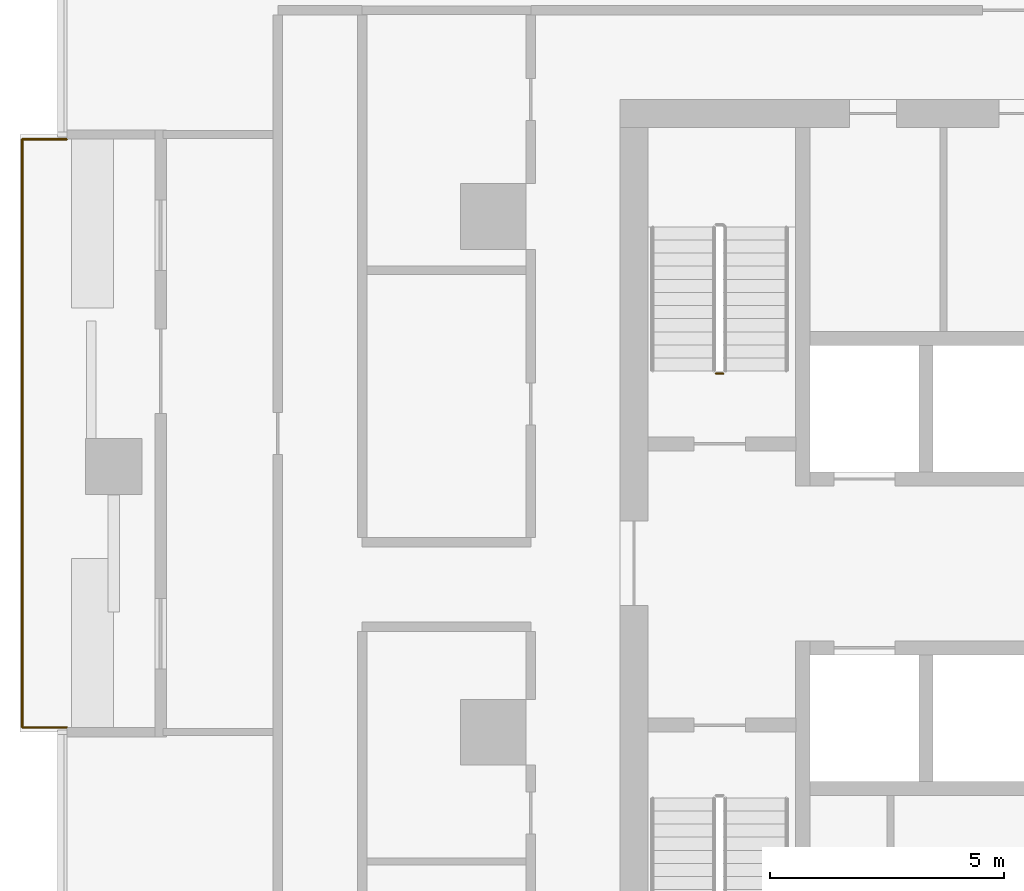
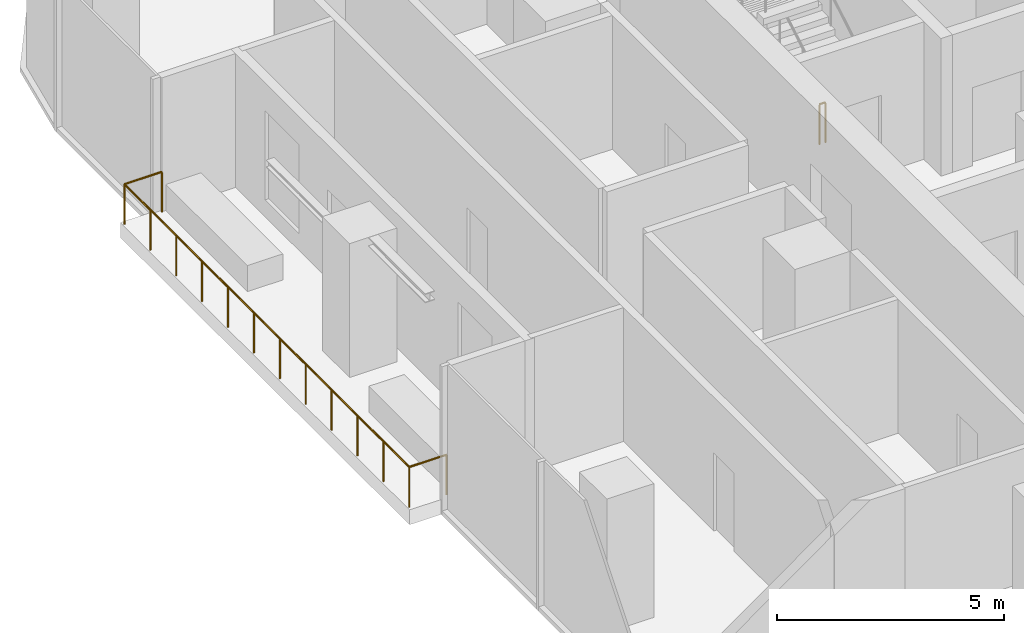
# One storey, part 12 of 14: 2 railings.
"""IFC4 building model written with IfcOpenShell, lengths in metres."""

from ifc_helpers import new_model, si_unit, direction, frame, origin, origin_2d, place, context, subcontext, project, spatial, circle, extrude, material, type_object, element, save


model = new_model("IFC4")

# Units and contexts
model_context = context("Model", 3, precision=1e-05, world=origin(), true_north=direction((0.0, 1.0)))
body_context = subcontext(model_context, "Body", "Model", "MODEL_VIEW")
ifc_project = project(units=[si_unit("LENGTHUNIT", "METRE"), si_unit("AREAUNIT", "SQUARE_METRE"), si_unit("VOLUMEUNIT", "CUBIC_METRE"), si_unit("PLANEANGLEUNIT", "RADIAN"), si_unit("MASSUNIT", "GRAM", prefix="KILO")], contexts=[model_context])

# Site, building, storey
site_placement = place(None, origin())
site = spatial("IfcSite", under=ifc_project, at=site_placement, CompositionType="ELEMENT")
building_placement = place(site_placement, origin())
building = spatial("IfcBuilding", under=site, at=building_placement, Name="Mopane Tessera Tower", CompositionType="ELEMENT")
storey_placement = place(building_placement, frame((0.0, 0.0, 165.0)))
storey = spatial("IfcBuildingStorey", under=building, at=storey_placement, Name="L33", CompositionType="ELEMENT", Elevation=165.0)

# Railings
ifc_material_1 = material(Name="Powder-coated steel balustrade", Category="steel")
railing_type_1 = type_object("IfcRailingType", Name="Escape stair guard 1100 mm", PredefinedType="GUARDRAIL", material=ifc_material_1)
railing_1_placement = place(storey_placement, frame((-12.199951171875, 7.64990234375, 0.0)))
element("IfcRailing", 1, at=railing_1_placement, inside=storey, type_object=railing_type_1, Name="L33 ST2 stair guard 3", PredefinedType="GUARDRAIL", context=body_context, shape_type="SweptSolid", body=[
    extrude(circle(Radius=0.02392578125, at=origin_2d()), frame((0.0, 0.0, 1.076171875), z_axis=(-1.0, 0.0, 0.0), x_axis=(0.0, -1.0, 0.0)), (0.0, 0.0, 1.0), 0.150146484375),
    extrude(circle(Radius=0.02099609375, at=origin_2d()), origin(), (0.0, 0.0, 1.0), 1.052001953125),
    extrude(circle(Radius=0.02099609375, at=origin_2d()), frame((-0.150146484375, 0.0, 0.0)), (0.0, 0.0, 1.0), 1.052001953125),
])
ifc_material_2 = material(Name="Stainless steel S316", Category="steel")
railing_type_2 = type_object("IfcRailingType", Name="Terrace guard 1100", PredefinedType="GUARDRAIL", material=ifc_material_2)
railing_2_placement = place(storey_placement, frame((-26.199951171875, 12.64990234375, 0.0)))
element("IfcRailing", 2, at=railing_2_placement, inside=storey, type_object=railing_type_2, Name="e:nw:L33:N1:guard", PredefinedType="GUARDRAIL", context=body_context, shape_type="SweptSolid", body=[
    extrude(circle(Radius=0.02392578125, at=origin_2d()), frame((0.0, 0.0, 1.076171875), z_axis=(-1.0, 0.0, 0.0), x_axis=(0.0, -1.0, 0.0)), (0.0, 0.0, 1.0), 0.949951171875),
    extrude(circle(Radius=0.02392578125, at=origin_2d()), frame((-0.949951171875, 0.0, 1.076171875), z_axis=(0.0, -1.0, 0.0), x_axis=(1.0, 0.0, 0.0)), (0.0, 0.0, 1.0), 12.5498046875),
    extrude(circle(Radius=0.02392578125, at=origin_2d()), frame((-0.949951171875, -12.5498046875, 1.076171875), z_axis=(1.0, 0.0, 0.0), x_axis=(0.0, 1.0, 0.0)), (0.0, 0.0, 1.0), 0.949951171875),
    extrude(circle(Radius=0.02099609375, at=origin_2d()), origin(), (0.0, 0.0, 1.0), 1.052001953125),
    extrude(circle(Radius=0.02099609375, at=origin_2d()), frame((-0.949951171875, 0.0, 0.0)), (0.0, 0.0, 1.0), 1.052001953125),
    extrude(circle(Radius=0.02099609375, at=origin_2d()), frame((-0.949951171875, -1.140869140625, 0.0)), (0.0, 0.0, 1.0), 1.052001953125),
    extrude(circle(Radius=0.02099609375, at=origin_2d()), frame((-0.949951171875, -2.28173828125, 0.0)), (0.0, 0.0, 1.0), 1.052001953125),
    extrude(circle(Radius=0.02099609375, at=origin_2d()), frame((-0.949951171875, -3.422607421875, 0.0)), (0.0, 0.0, 1.0), 1.052001953125),
    extrude(circle(Radius=0.02099609375, at=origin_2d()), frame((-0.949951171875, -4.5634765625, 0.0)), (0.0, 0.0, 1.0), 1.052001953125),
    extrude(circle(Radius=0.02099609375, at=origin_2d()), frame((-0.949951171875, -5.704345703125, 0.0)), (0.0, 0.0, 1.0), 1.052001953125),
    extrude(circle(Radius=0.02099609375, at=origin_2d()), frame((-0.949951171875, -6.845458984375, 0.0)), (0.0, 0.0, 1.0), 1.052001953125),
    extrude(circle(Radius=0.02099609375, at=origin_2d()), frame((-0.949951171875, -7.986328125, 0.0)), (0.0, 0.0, 1.0), 1.052001953125),
    extrude(circle(Radius=0.02099609375, at=origin_2d()), frame((-0.949951171875, -9.127197265625, 0.0)), (0.0, 0.0, 1.0), 1.052001953125),
    extrude(circle(Radius=0.02099609375, at=origin_2d()), frame((-0.949951171875, -10.26806640625, 0.0)), (0.0, 0.0, 1.0), 1.052001953125),
    extrude(circle(Radius=0.02099609375, at=origin_2d()), frame((-0.949951171875, -11.408935546875, 0.0)), (0.0, 0.0, 1.0), 1.052001953125),
    extrude(circle(Radius=0.02099609375, at=origin_2d()), frame((-0.949951171875, -12.5498046875, 0.0)), (0.0, 0.0, 1.0), 1.052001953125),
    extrude(circle(Radius=0.02099609375, at=origin_2d()), frame((0.0, -12.5498046875, 0.0)), (0.0, 0.0, 1.0), 1.052001953125),
])

save(model, "model.ifc")
